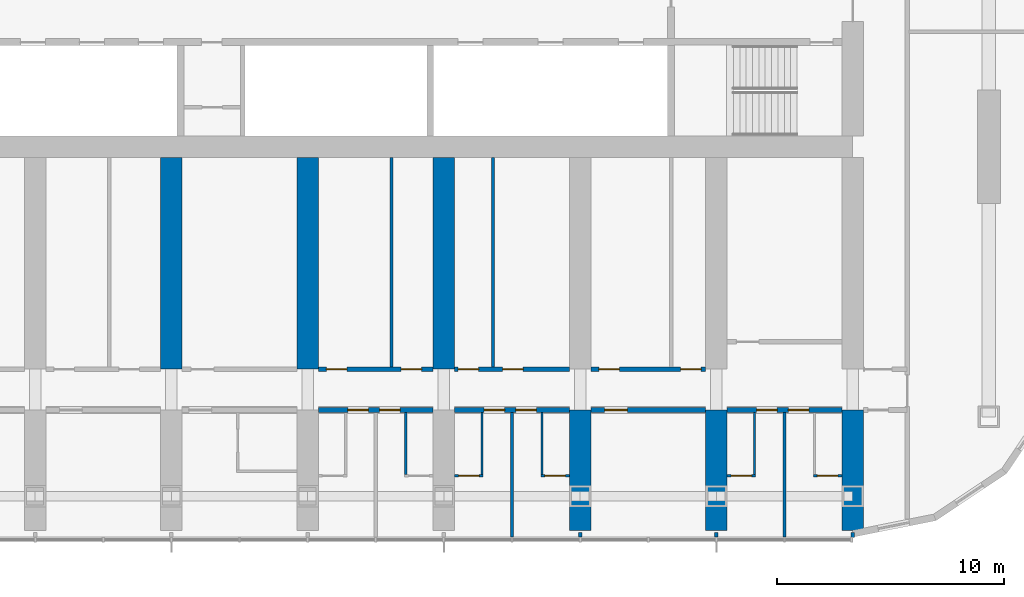
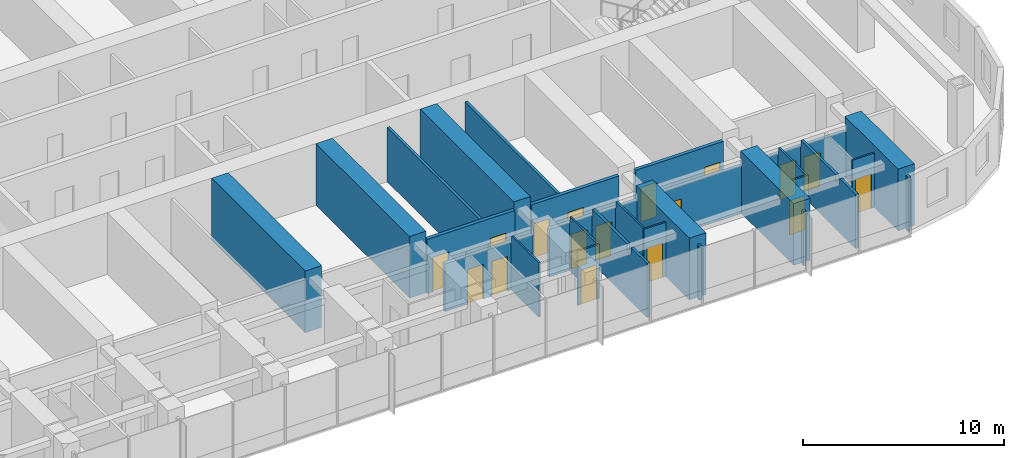
# One storey, part 10 of 21: 28 walls, 17 doors, 17 openings.
"""IFC4 building model written with IfcOpenShell, lengths in metres."""

from ifc_helpers import new_model, si_unit, direction, frame, frame_2d, origin, place, context, subcontext, project, spatial, polyline, rectangle, outline, extrude, material, layer, layer_set, type_object, element, fill, save


model = new_model("IFC4")

# Units and contexts
model_context = context("Model", 3, precision=1e-05, world=origin(), true_north=direction((0.0, 1.0)))
body_context = subcontext(model_context, "Body", "Model", "MODEL_VIEW")
ifc_project = project(units=[si_unit("LENGTHUNIT", "METRE"), si_unit("AREAUNIT", "SQUARE_METRE"), si_unit("VOLUMEUNIT", "CUBIC_METRE"), si_unit("PLANEANGLEUNIT", "RADIAN"), si_unit("MASSUNIT", "GRAM", prefix="KILO")], contexts=[model_context])

# Site, building, storey
site_placement = place(None, origin())
site = spatial("IfcSite", under=ifc_project, at=site_placement, CompositionType="ELEMENT")
building_placement = place(site_placement, origin())
building = spatial("IfcBuilding", under=site, at=building_placement, Name="Orbita Commons", CompositionType="ELEMENT")
storey_placement = place(building_placement, frame((0.0, 0.0, 110.64990234375)))
storey = spatial("IfcBuildingStorey", under=building, at=storey_placement, Name="L27", CompositionType="ELEMENT", Elevation=110.64990234375)

# Wall, openings, doors
ifc_material_1 = material(Name="Concrete blockwork", Category="masonry")
ifc_layer_1 = layer(ifc_material_1, 0.199951171875)
ifc_layer_set_1 = layer_set([ifc_layer_1], Name="Concrete blockwork")
wall_type_1 = type_object("IfcWallType", Name="Corridor wall 200 blockwork", PredefinedType="SOLIDWALL", material=ifc_layer_set_1)
wall_1_placement = place(storey_placement, frame((42.47509765625, 14.199951171875, 0.0), z_axis=(0.0, 0.0, 1.0), x_axis=(1.0, 0.0, 0.0)))
wall_1 = element("IfcWall", 1, at=wall_1_placement, inside=storey, type_object=wall_type_1, Name="Corridor wall 200 blockwork L27", PredefinedType="SOLIDWALL", context=body_context, shape_type="SweptSolid", body=[
    extrude(outline(polyline([(0.0, 0.0), (5.0498046875, 0.0), (5.050048828125, 2.900146484375), (0.0, 2.900146484375), (0.0, 0.0)])), frame((0.0, 0.10009765625, 0.0), z_axis=(0.0, -1.0, 0.0), x_axis=(1.0, 0.0, 0.0)), (0.0, 0.0, 1.0), 0.199951171875),
])
opening_1_placement = place(wall_1_placement, frame((1.300048828125, 0.0, 0.0)))
opening_1 = element("IfcOpeningElement", 2, at=opening_1_placement, cuts=wall_1, Name="Opening D11", PredefinedType="OPENING", context=body_context, shape_type="SweptSolid", body=[
    extrude(rectangle(XDim=0.89990234375, YDim=2.10009765625, at=frame_2d((0.449951171875, 1.050048828125))), frame((0.0, 0.10986328125, 0.0), z_axis=(0.0, -1.0, 0.0), x_axis=(1.0, 0.0, 0.0)), (0.0, 0.0, 1.0), 0.219970703125),
])
opening_2_placement = place(wall_1_placement, frame((2.699951171875, 0.0, 0.0)))
opening_2 = element("IfcOpeningElement", 3, at=opening_2_placement, cuts=wall_1, Name="Opening D11", PredefinedType="OPENING", context=body_context, shape_type="SweptSolid", body=[
    extrude(rectangle(XDim=0.89990234375, YDim=2.10009765625, at=frame_2d((0.449951171875, 1.050048828125))), frame((0.0, 0.10986328125, 0.0), z_axis=(0.0, -1.0, 0.0), x_axis=(1.0, 0.0, 0.0)), (0.0, 0.0, 1.0), 0.219970703125),
])
ifc_material_2 = material(Name="Steel-faced fire door leaf", Category="steel")
door_type_1 = type_object("IfcDoorType", Name="Corridor door 20 min 900x2100", OperationType="SINGLE_SWING_LEFT", PredefinedType="DOOR", material=ifc_material_2)
door_1_placement = place(opening_1_placement, origin())
door_1 = element("IfcDoor", 4, at=door_1_placement, inside=storey, type_object=door_type_1, Name="Cluster bedroom L27-S10 door", OperationType="SINGLE_SWING_LEFT", OverallHeight=2.10009765625, OverallWidth=0.89990234375, PredefinedType="DOOR", context=body_context, shape_type="SweptSolid", body=[
    extrude(rectangle(XDim=0.89990234375, YDim=2.10009765625, at=frame_2d((0.449951171875, 1.050048828125))), frame((0.0, 0.02490234375, 0.0), z_axis=(0.0, -1.0, 0.0), x_axis=(1.0, 0.0, 0.0)), (0.0, 0.0, 1.0), 0.050048828125),
])
fill(opening_1, door_1)
door_2_placement = place(opening_2_placement, origin())
door_2 = element("IfcDoor", 5, at=door_2_placement, inside=storey, type_object=door_type_1, Name="Cluster bedroom L27-S11 door", OperationType="SINGLE_SWING_LEFT", OverallHeight=2.10009765625, OverallWidth=0.89990234375, PredefinedType="DOOR", context=body_context, shape_type="SweptSolid", body=[
    extrude(rectangle(XDim=0.89990234375, YDim=2.10009765625, at=frame_2d((0.449951171875, 1.050048828125))), frame((0.0, 0.02490234375, 0.0), z_axis=(0.0, -1.0, 0.0), x_axis=(1.0, 0.0, 0.0)), (0.0, 0.0, 1.0), 0.050048828125),
])
fill(opening_2, door_2)

wall_2_placement = place(storey_placement, frame((48.47509765625, 14.199951171875, 0.0), z_axis=(0.0, 0.0, 1.0), x_axis=(1.0, 0.0, 0.0)))
wall_2 = element("IfcWall", 6, at=wall_2_placement, inside=storey, type_object=wall_type_1, Name="Corridor wall 200 blockwork L27", PredefinedType="SOLIDWALL", context=body_context, shape_type="SweptSolid", body=[
    extrude(outline(polyline([(0.0, 0.0), (5.0498046875, 0.0), (5.050048828125, 2.900146484375), (0.0, 2.900146484375), (0.0, 0.0)])), frame((0.0, 0.10009765625, 0.0), z_axis=(0.0, -1.0, 0.0), x_axis=(1.0, 0.0, 0.0)), (0.0, 0.0, 1.0), 0.199951171875),
])
opening_3_placement = place(wall_2_placement, frame((1.300048828125, 0.0, 0.0)))
opening_3 = element("IfcOpeningElement", 7, at=opening_3_placement, cuts=wall_2, Name="Opening D11", PredefinedType="OPENING", context=body_context, shape_type="SweptSolid", body=[
    extrude(rectangle(XDim=0.89990234375, YDim=2.10009765625, at=frame_2d((0.449951171875, 1.050048828125))), frame((0.0, 0.10986328125, 0.0), z_axis=(0.0, -1.0, 0.0), x_axis=(1.0, 0.0, 0.0)), (0.0, 0.0, 1.0), 0.219970703125),
])
opening_4_placement = place(wall_2_placement, frame((2.699951171875, 0.0, 0.0)))
opening_4 = element("IfcOpeningElement", 8, at=opening_4_placement, cuts=wall_2, Name="Opening D11", PredefinedType="OPENING", context=body_context, shape_type="SweptSolid", body=[
    extrude(rectangle(XDim=0.89990234375, YDim=2.10009765625, at=frame_2d((0.449951171875, 1.050048828125))), frame((0.0, 0.10986328125, 0.0), z_axis=(0.0, -1.0, 0.0), x_axis=(1.0, 0.0, 0.0)), (0.0, 0.0, 1.0), 0.219970703125),
])
door_3_placement = place(opening_3_placement, origin())
door_3 = element("IfcDoor", 9, at=door_3_placement, inside=storey, type_object=door_type_1, Name="Cluster bedroom L27-S12 door", OperationType="SINGLE_SWING_LEFT", OverallHeight=2.10009765625, OverallWidth=0.89990234375, PredefinedType="DOOR", context=body_context, shape_type="SweptSolid", body=[
    extrude(rectangle(XDim=0.89990234375, YDim=2.10009765625, at=frame_2d((0.449951171875, 1.050048828125))), frame((0.0, 0.02490234375, 0.0), z_axis=(0.0, -1.0, 0.0), x_axis=(1.0, 0.0, 0.0)), (0.0, 0.0, 1.0), 0.050048828125),
])
fill(opening_3, door_3)
door_4_placement = place(opening_4_placement, origin())
door_4 = element("IfcDoor", 10, at=door_4_placement, inside=storey, type_object=door_type_1, Name="Cluster bedroom L27-S13 door", OperationType="SINGLE_SWING_LEFT", OverallHeight=2.10009765625, OverallWidth=0.89990234375, PredefinedType="DOOR", context=body_context, shape_type="SweptSolid", body=[
    extrude(rectangle(XDim=0.89990234375, YDim=2.10009765625, at=frame_2d((0.449951171875, 1.050048828125))), frame((0.0, 0.02490234375, 0.0), z_axis=(0.0, -1.0, 0.0), x_axis=(1.0, 0.0, 0.0)), (0.0, 0.0, 1.0), 0.050048828125),
])
fill(opening_4, door_4)

# Wall, opening, door
wall_3_placement = place(storey_placement, frame((54.47509765625, 14.199951171875, 0.0), z_axis=(0.0, 0.0, 1.0), x_axis=(1.0, 0.0, 0.0)))
wall_3 = element("IfcWall", 11, at=wall_3_placement, inside=storey, type_object=wall_type_1, Name="Corridor wall 200 blockwork L27", PredefinedType="SOLIDWALL", context=body_context, shape_type="SweptSolid", body=[
    extrude(outline(polyline([(0.0, 0.0), (5.0498046875, 0.0), (5.050048828125, 2.900146484375), (0.0, 2.900146484375), (0.0, 0.0)])), frame((0.0, 0.10009765625, 0.0), z_axis=(0.0, -1.0, 0.0), x_axis=(1.0, 0.0, 0.0)), (0.0, 0.0, 1.0), 0.199951171875),
])
opening_5_placement = place(wall_3_placement, frame((0.60009765625, 0.0, 0.0)))
opening_5 = element("IfcOpeningElement", 12, at=opening_5_placement, cuts=wall_3, Name="Opening D06", PredefinedType="OPENING", context=body_context, shape_type="SweptSolid", body=[
    extrude(rectangle(XDim=1.0, YDim=2.10009765625, at=frame_2d((0.5, 1.050048828125))), frame((0.0, 0.10986328125, 0.0), z_axis=(0.0, -1.0, 0.0), x_axis=(1.0, 0.0, 0.0)), (0.0, 0.0, 1.0), 0.219970703125),
])
ifc_material_3 = material(Name="Steel-faced fire door leaf", Category="steel")
door_type_2 = type_object("IfcDoorType", Name="Corridor door 20 min 1000x2100", OperationType="SINGLE_SWING_LEFT", PredefinedType="DOOR", material=ifc_material_3)
door_5_placement = place(opening_5_placement, origin())
door_5 = element("IfcDoor", 13, at=door_5_placement, inside=storey, type_object=door_type_2, Name="Cluster kitchen-diner L27-S14 door", OperationType="SINGLE_SWING_LEFT", OverallHeight=2.10009765625, OverallWidth=1.0, PredefinedType="DOOR", context=body_context, shape_type="SweptSolid", body=[
    extrude(rectangle(XDim=1.0, YDim=2.10009765625, at=frame_2d((0.5, 1.050048828125))), frame((0.0, 0.02490234375, 0.0), z_axis=(0.0, -1.0, 0.0), x_axis=(1.0, 0.0, 0.0)), (0.0, 0.0, 1.0), 0.050048828125),
])
fill(opening_5, door_5)

# Wall, openings, doors
wall_4_placement = place(storey_placement, frame((60.47509765625, 14.199951171875, 0.0), z_axis=(0.0, 0.0, 1.0), x_axis=(1.0, 0.0, 0.0)))
wall_4 = element("IfcWall", 14, at=wall_4_placement, inside=storey, type_object=wall_type_1, Name="Corridor wall 200 blockwork L27", PredefinedType="SOLIDWALL", context=body_context, shape_type="SweptSolid", body=[
    extrude(outline(polyline([(0.0, 0.0), (5.0498046875, 0.0), (5.050048828125, 2.900146484375), (0.0, 2.900146484375), (0.0, 0.0)])), frame((0.0, 0.10009765625, 0.0), z_axis=(0.0, -1.0, 0.0), x_axis=(1.0, 0.0, 0.0)), (0.0, 0.0, 1.0), 0.199951171875),
])
opening_6_placement = place(wall_4_placement, frame((1.300048828125, 0.0, 0.0)))
opening_6 = element("IfcOpeningElement", 15, at=opening_6_placement, cuts=wall_4, Name="Opening D11", PredefinedType="OPENING", context=body_context, shape_type="SweptSolid", body=[
    extrude(rectangle(XDim=0.89990234375, YDim=2.10009765625, at=frame_2d((0.449951171875, 1.050048828125))), frame((0.0, 0.10986328125, 0.0), z_axis=(0.0, -1.0, 0.0), x_axis=(1.0, 0.0, 0.0)), (0.0, 0.0, 1.0), 0.219970703125),
])
opening_7_placement = place(wall_4_placement, frame((2.699951171875, 0.0, 0.0)))
opening_7 = element("IfcOpeningElement", 16, at=opening_7_placement, cuts=wall_4, Name="Opening D11", PredefinedType="OPENING", context=body_context, shape_type="SweptSolid", body=[
    extrude(rectangle(XDim=0.89990234375, YDim=2.10009765625, at=frame_2d((0.449951171875, 1.050048828125))), frame((0.0, 0.10986328125, 0.0), z_axis=(0.0, -1.0, 0.0), x_axis=(1.0, 0.0, 0.0)), (0.0, 0.0, 1.0), 0.219970703125),
])
door_6_placement = place(opening_6_placement, origin())
door_6 = element("IfcDoor", 17, at=door_6_placement, inside=storey, type_object=door_type_1, Name="Cluster bedroom L27-S16 door", OperationType="SINGLE_SWING_LEFT", OverallHeight=2.10009765625, OverallWidth=0.89990234375, PredefinedType="DOOR", context=body_context, shape_type="SweptSolid", body=[
    extrude(rectangle(XDim=0.89990234375, YDim=2.10009765625, at=frame_2d((0.449951171875, 1.050048828125))), frame((0.0, 0.02490234375, 0.0), z_axis=(0.0, -1.0, 0.0), x_axis=(1.0, 0.0, 0.0)), (0.0, 0.0, 1.0), 0.050048828125),
])
fill(opening_6, door_6)
door_7_placement = place(opening_7_placement, origin())
door_7 = element("IfcDoor", 18, at=door_7_placement, inside=storey, type_object=door_type_1, Name="Cluster bedroom L27-S17 door", OperationType="SINGLE_SWING_LEFT", OverallHeight=2.10009765625, OverallWidth=0.89990234375, PredefinedType="DOOR", context=body_context, shape_type="SweptSolid", body=[
    extrude(rectangle(XDim=0.89990234375, YDim=2.10009765625, at=frame_2d((0.449951171875, 1.050048828125))), frame((0.0, 0.02490234375, 0.0), z_axis=(0.0, -1.0, 0.0), x_axis=(1.0, 0.0, 0.0)), (0.0, 0.0, 1.0), 0.050048828125),
])
fill(opening_7, door_7)

ifc_material_4 = material(Name="Hollow concrete block 200", Category="concrete")
ifc_layer_2 = layer(ifc_material_4, 0.199951171875)
ifc_layer_set_2 = layer_set([ifc_layer_2], Name="Hollow concrete block 200")
wall_type_2 = type_object("IfcWallType", Name="Corridor wall 200 hollow concrete block", PredefinedType="SOLIDWALL", material=ifc_layer_set_2)
wall_5_placement = place(storey_placement, frame((42.47509765625, 16.0, 0.0), z_axis=(0.0, 0.0, 1.0), x_axis=(1.0, 0.0, 0.0)))
wall_5 = element("IfcWall", 19, at=wall_5_placement, inside=storey, type_object=wall_type_2, Name="Corridor wall 200 hollow concrete block L27", PredefinedType="SOLIDWALL", context=body_context, shape_type="SweptSolid", body=[
    extrude(rectangle(XDim=5.0498046875, YDim=0.199951171875, at=frame_2d((2.52490234375, 0.0))), origin(), (0.0, 0.0, 1.0), 3.300048828125),
])
opening_8_placement = place(wall_5_placement, frame((0.35009765625, 0.0, 0.0)))
opening_8 = element("IfcOpeningElement", 20, at=opening_8_placement, cuts=wall_5, Name="Opening D11", PredefinedType="OPENING", context=body_context, shape_type="SweptSolid", body=[
    extrude(rectangle(XDim=0.89990234375, YDim=2.10009765625, at=frame_2d((0.449951171875, 1.050048828125))), frame((0.0, 0.10986328125, 0.0), z_axis=(0.0, -1.0, 0.0), x_axis=(1.0, 0.0, 0.0)), (0.0, 0.0, 1.0), 0.219970703125),
])
opening_9_placement = place(wall_5_placement, frame((3.64501953125, 0.0, 0.0)))
opening_9 = element("IfcOpeningElement", 21, at=opening_9_placement, cuts=wall_5, Name="Opening D11", PredefinedType="OPENING", context=body_context, shape_type="SweptSolid", body=[
    extrude(rectangle(XDim=0.89990234375, YDim=2.10009765625, at=frame_2d((0.449951171875, 1.050048828125))), frame((0.0, 0.10986328125, 0.0), z_axis=(0.0, -1.0, 0.0), x_axis=(1.0, 0.0, 0.0)), (0.0, 0.0, 1.0), 0.219970703125),
])
door_8_placement = place(opening_8_placement, origin())
door_8 = element("IfcDoor", 22, at=door_8_placement, inside=storey, type_object=door_type_1, Name="Bicycle repair workshop L27-BDS42 door", OperationType="SINGLE_SWING_LEFT", OverallHeight=2.10009765625, OverallWidth=0.89990234375, PredefinedType="DOOR", context=body_context, shape_type="SweptSolid", body=[
    extrude(rectangle(XDim=0.89990234375, YDim=2.10009765625, at=frame_2d((0.449951171875, 1.050048828125))), frame((0.0, 0.02490234375, 0.0), z_axis=(0.0, -1.0, 0.0), x_axis=(1.0, 0.0, 0.0)), (0.0, 0.0, 1.0), 0.050048828125),
])
fill(opening_8, door_8)
door_9_placement = place(opening_9_placement, origin())
door_9 = element("IfcDoor", 23, at=door_9_placement, inside=storey, type_object=door_type_1, Name="Water heater cupboard L27-BDS42n door", OperationType="SINGLE_SWING_LEFT", OverallHeight=2.10009765625, OverallWidth=0.89990234375, PredefinedType="DOOR", context=body_context, shape_type="SweptSolid", body=[
    extrude(rectangle(XDim=0.89990234375, YDim=2.10009765625, at=frame_2d((0.449951171875, 1.050048828125))), frame((0.0, 0.02490234375, 0.0), z_axis=(0.0, -1.0, 0.0), x_axis=(1.0, 0.0, 0.0)), (0.0, 0.0, 1.0), 0.050048828125),
])
fill(opening_9, door_9)

wall_6_placement = place(storey_placement, frame((48.47509765625, 16.0, 0.0), z_axis=(0.0, 0.0, 1.0), x_axis=(1.0, 0.0, 0.0)))
wall_6 = element("IfcWall", 24, at=wall_6_placement, inside=storey, type_object=wall_type_2, Name="Corridor wall 200 hollow concrete block L27", PredefinedType="SOLIDWALL", context=body_context, shape_type="SweptSolid", body=[
    extrude(rectangle(XDim=5.0498046875, YDim=0.199951171875, at=frame_2d((2.52490234375, 0.0))), origin(), (0.0, 0.0, 1.0), 3.300048828125),
])
opening_10_placement = place(wall_6_placement, frame((0.14990234375, 0.0, 0.0)))
opening_10 = element("IfcOpeningElement", 25, at=opening_10_placement, cuts=wall_6, Name="Opening D11", PredefinedType="OPENING", context=body_context, shape_type="SweptSolid", body=[
    extrude(rectangle(XDim=0.89990234375, YDim=2.10009765625, at=frame_2d((0.449951171875, 1.050048828125))), frame((0.0, 0.10986328125, 0.0), z_axis=(0.0, -1.0, 0.0), x_axis=(1.0, 0.0, 0.0)), (0.0, 0.0, 1.0), 0.219970703125),
])
opening_11_placement = place(wall_6_placement, frame((2.114990234375, 0.0, 0.0)))
opening_11 = element("IfcOpeningElement", 26, at=opening_11_placement, cuts=wall_6, Name="Opening D11", PredefinedType="OPENING", context=body_context, shape_type="SweptSolid", body=[
    extrude(rectangle(XDim=0.89990234375, YDim=2.10009765625, at=frame_2d((0.449951171875, 1.050048828125))), frame((0.0, 0.10986328125, 0.0), z_axis=(0.0, -1.0, 0.0), x_axis=(1.0, 0.0, 0.0)), (0.0, 0.0, 1.0), 0.219970703125),
])
door_10_placement = place(opening_10_placement, origin())
door_10 = element("IfcDoor", 27, at=door_10_placement, inside=storey, type_object=door_type_1, Name="Equipment store L27-BDS48n door", OperationType="SINGLE_SWING_LEFT", OverallHeight=2.10009765625, OverallWidth=0.89990234375, PredefinedType="DOOR", context=body_context, shape_type="SweptSolid", body=[
    extrude(rectangle(XDim=0.89990234375, YDim=2.10009765625, at=frame_2d((0.449951171875, 1.050048828125))), frame((0.0, 0.02490234375, 0.0), z_axis=(0.0, -1.0, 0.0), x_axis=(1.0, 0.0, 0.0)), (0.0, 0.0, 1.0), 0.050048828125),
])
fill(opening_10, door_10)
door_11_placement = place(opening_11_placement, origin())
door_11 = element("IfcDoor", 28, at=door_11_placement, inside=storey, type_object=door_type_1, Name="Meeting room L27-BDS48 door", OperationType="SINGLE_SWING_LEFT", OverallHeight=2.10009765625, OverallWidth=0.89990234375, PredefinedType="DOOR", context=body_context, shape_type="SweptSolid", body=[
    extrude(rectangle(XDim=0.89990234375, YDim=2.10009765625, at=frame_2d((0.449951171875, 1.050048828125))), frame((0.0, 0.02490234375, 0.0), z_axis=(0.0, -1.0, 0.0), x_axis=(1.0, 0.0, 0.0)), (0.0, 0.0, 1.0), 0.050048828125),
])
fill(opening_11, door_11)

wall_7_placement = place(storey_placement, frame((54.47509765625, 16.0, 0.0), z_axis=(0.0, 0.0, 1.0), x_axis=(1.0, 0.0, 0.0)))
wall_7 = element("IfcWall", 29, at=wall_7_placement, inside=storey, type_object=wall_type_2, Name="Corridor wall 200 hollow concrete block L27", PredefinedType="SOLIDWALL", context=body_context, shape_type="SweptSolid", body=[
    extrude(rectangle(XDim=5.0498046875, YDim=0.199951171875, at=frame_2d((2.52490234375, 0.0))), origin(), (0.0, 0.0, 1.0), 3.300048828125),
])
opening_12_placement = place(wall_7_placement, frame((0.35009765625, 0.0, 0.0)))
opening_12 = element("IfcOpeningElement", 30, at=opening_12_placement, cuts=wall_7, Name="Opening D11", PredefinedType="OPENING", context=body_context, shape_type="SweptSolid", body=[
    extrude(rectangle(XDim=0.89990234375, YDim=2.10009765625, at=frame_2d((0.449951171875, 1.050048828125))), frame((0.0, 0.10986328125, 0.0), z_axis=(0.0, -1.0, 0.0), x_axis=(1.0, 0.0, 0.0)), (0.0, 0.0, 1.0), 0.219970703125),
])
opening_13_placement = place(wall_7_placement, frame((3.955078125, 0.0, 0.0)))
opening_13 = element("IfcOpeningElement", 31, at=opening_13_placement, cuts=wall_7, Name="Opening D11", PredefinedType="OPENING", context=body_context, shape_type="SweptSolid", body=[
    extrude(rectangle(XDim=0.89990234375, YDim=2.10009765625, at=frame_2d((0.449951171875, 1.050048828125))), frame((0.0, 0.10986328125, 0.0), z_axis=(0.0, -1.0, 0.0), x_axis=(1.0, 0.0, 0.0)), (0.0, 0.0, 1.0), 0.219970703125),
])
door_12_placement = place(opening_12_placement, origin())
door_12 = element("IfcDoor", 32, at=door_12_placement, inside=storey, type_object=door_type_1, Name="Bulk and luggage store L27-BDS54 door", OperationType="SINGLE_SWING_LEFT", OverallHeight=2.10009765625, OverallWidth=0.89990234375, PredefinedType="DOOR", context=body_context, shape_type="SweptSolid", body=[
    extrude(rectangle(XDim=0.89990234375, YDim=2.10009765625, at=frame_2d((0.449951171875, 1.050048828125))), frame((0.0, 0.02490234375, 0.0), z_axis=(0.0, -1.0, 0.0), x_axis=(1.0, 0.0, 0.0)), (0.0, 0.0, 1.0), 0.050048828125),
])
fill(opening_12, door_12)
door_13_placement = place(opening_13_placement, origin())
door_13 = element("IfcDoor", 33, at=door_13_placement, inside=storey, type_object=door_type_1, Name="Battery and UPS room L27-BDS54n door", OperationType="SINGLE_SWING_LEFT", OverallHeight=2.10009765625, OverallWidth=0.89990234375, PredefinedType="DOOR", context=body_context, shape_type="SweptSolid", body=[
    extrude(rectangle(XDim=0.89990234375, YDim=2.10009765625, at=frame_2d((0.449951171875, 1.050048828125))), frame((0.0, 0.02490234375, 0.0), z_axis=(0.0, -1.0, 0.0), x_axis=(1.0, 0.0, 0.0)), (0.0, 0.0, 1.0), 0.050048828125),
])
fill(opening_13, door_13)

# Walls
ifc_material_5 = material(Name="Concrete C50/60", Category="concrete")
ifc_layer_3 = layer(ifc_material_5, 0.949951171875)
ifc_layer_set_3 = layer_set([ifc_layer_3], Name="Concrete C50/60")
wall_type_3 = type_object("IfcWallType", Name="Cross wall 950 C50/60", PredefinedType="SHEAR", material=ifc_layer_set_3)
for number, where, z_axis, x_axis, name in (
    (34, (36.0, 16.0, 0.0), (0.0, 0.0, 1.0), (0.0, 1.0, 0.0), "Cross wall 7 south inner L27"),
    (35, (42.0, 16.0, 0.0), (0.0, 0.0, 1.0), (0.0, 1.0, 0.0), "Cross wall 8 south inner L27"),
    (36, (48.0, 16.0, 0.0), (0.0, 0.0, 1.0), (0.0, 1.0, 0.0), "Cross wall 9 south inner L27"),
):
    element("IfcWall", number, at=place(storey_placement, frame(where, z_axis=z_axis, x_axis=x_axis)), inside=storey, type_object=wall_type_3, Name=name, PredefinedType="SHEAR", context=body_context, shape_type="SweptSolid", body=[
        extrude(rectangle(XDim=9.324951171875, YDim=0.949951171875, at=frame_2d((4.66259765625, 0.0))), origin(), (0.0, 0.0, 1.0), 3.75),
    ])
for number, where, z_axis, x_axis, name in (
    (37, (54.0, 8.89990234375, 0.0), (0.0, 0.0, 1.0), (0.0, 1.0, 0.0), "Cross wall 10 south outer L27"),
    (38, (60.0, 8.89990234375, 0.0), (0.0, 0.0, 1.0), (0.0, 1.0, 0.0), "Cross wall 11 south outer L27"),
    (39, (66.0, 8.89990234375, 0.0), (0.0, 0.0, 1.0), (0.0, 1.0, 0.0), "Cross wall 12 south outer L27"),
):
    element("IfcWall", number, at=place(storey_placement, frame(where, z_axis=z_axis, x_axis=x_axis)), inside=storey, type_object=wall_type_3, Name=name, PredefinedType="SHEAR", context=body_context, shape_type="SweptSolid", body=[
        extrude(rectangle(XDim=5.300048828125, YDim=0.949951171875, at=frame_2d((2.64990234375, 0.0))), origin(), (0.0, 0.0, 1.0), 3.75),
    ])
ifc_material_6 = material(Name="Moisture-resistant plasterboard on steel studs", Category="steel")
ifc_layer_4 = layer(ifc_material_6, 0.10009765625)
ifc_layer_set_4 = layer_set([ifc_layer_4], Name="Moisture-resistant plasterboard on steel studs")
wall_type_4 = type_object("IfcWallType", Name="En-suite partition 100", PredefinedType="PARTITIONING", material=ifc_layer_set_4)
wall_8_placement = place(storey_placement, frame((46.324951171875, 11.35009765625, 0.0), z_axis=(0.0, 0.0, 1.0), x_axis=(0.0, 1.0, 0.0)))
element("IfcWall", 40, at=wall_8_placement, inside=storey, type_object=wall_type_4, Name="En-suite partition 100 L27", PredefinedType="PARTITIONING", context=body_context, shape_type="SweptSolid", body=[
    extrude(outline(polyline([(0.0, 0.0), (2.75, 0.0), (2.75, 2.900146484375), (2.701904296875, 2.900146484375), (2.699951171875, 3.300048828125), (0.0, 3.300048828125), (0.0, 0.0)])), frame((0.0, 0.050048828125, 0.0), z_axis=(0.0, -1.0, 0.0), x_axis=(1.0, 0.0, 0.0)), (0.0, 0.0, 1.0), 0.10009765625),
])

# Wall, opening, door
wall_9_placement = place(storey_placement, frame((49.72509765625, 11.300048828125, 0.0), z_axis=(0.0, 0.0, 1.0), x_axis=(-1.0, 0.0, 0.0)))
wall_9 = element("IfcWall", 41, at=wall_9_placement, inside=storey, type_object=wall_type_4, Name="En-suite partition 100 L27", PredefinedType="PARTITIONING", context=body_context, shape_type="SweptSolid", body=[
    extrude(rectangle(XDim=1.25, YDim=0.10009765625, at=frame_2d((0.625, 0.0))), origin(), (0.0, 0.0, 1.0), 3.300048828125),
])
opening_14_placement = place(wall_9_placement, frame((0.175048828125, 0.0, 0.0)))
opening_14 = element("IfcOpeningElement", 42, at=opening_14_placement, cuts=wall_9, Name="Opening D09", PredefinedType="OPENING", context=body_context, shape_type="SweptSolid", body=[
    extrude(rectangle(XDim=0.89990234375, YDim=2.10009765625, at=frame_2d((0.449951171875, 1.050048828125))), frame((0.0, 0.06005859375, 0.0), z_axis=(0.0, -1.0, 0.0), x_axis=(1.0, 0.0, 0.0)), (0.0, 0.0, 1.0), 0.1201171875),
])
ifc_material_7 = material(Name="Laminated timber door leaf", Category="wood")
door_type_3 = type_object("IfcDoorType", Name="En-suite door 900x2100", OperationType="SINGLE_SWING_RIGHT", PredefinedType="DOOR", material=ifc_material_7)
door_14_placement = place(opening_14_placement, origin())
door_14 = element("IfcDoor", 43, at=door_14_placement, inside=storey, type_object=door_type_3, Name="En-suite L27-S12 door", OperationType="SINGLE_SWING_RIGHT", OverallHeight=2.10009765625, OverallWidth=0.89990234375, PredefinedType="DOOR", context=body_context, shape_type="SweptSolid", body=[
    extrude(rectangle(XDim=0.89990234375, YDim=2.10009765625, at=frame_2d((0.449951171875, 1.050048828125))), frame((0.0, 0.02490234375, 0.0), z_axis=(0.0, -1.0, 0.0), x_axis=(1.0, 0.0, 0.0)), (0.0, 0.0, 1.0), 0.050048828125),
])
fill(opening_14, door_14)

# Wall
wall_10_placement = place(storey_placement, frame((49.675048828125, 11.35009765625, 0.0), z_axis=(0.0, 0.0, 1.0), x_axis=(0.0, 1.0, 0.0)))
element("IfcWall", 44, at=wall_10_placement, inside=storey, type_object=wall_type_4, Name="En-suite partition 100 L27", PredefinedType="PARTITIONING", context=body_context, shape_type="SweptSolid", body=[
    extrude(outline(polyline([(0.0, 0.0), (2.75, 0.0), (2.75, 2.900146484375), (2.701904296875, 2.900146484375), (2.699951171875, 3.300048828125), (0.0, 3.300048828125), (0.0, 0.0)])), frame((0.0, 0.050048828125, 0.0), z_axis=(0.0, -1.0, 0.0), x_axis=(1.0, 0.0, 0.0)), (0.0, 0.0, 1.0), 0.10009765625),
])

# Wall, opening, door
wall_11_placement = place(storey_placement, frame((53.52490234375, 11.300048828125, 0.0), z_axis=(0.0, 0.0, 1.0), x_axis=(-1.0, 0.0, 0.0)))
wall_11 = element("IfcWall", 45, at=wall_11_placement, inside=storey, type_object=wall_type_4, Name="En-suite partition 100 L27", PredefinedType="PARTITIONING", context=body_context, shape_type="SweptSolid", body=[
    extrude(rectangle(XDim=1.25, YDim=0.10009765625, at=frame_2d((0.625, 0.0))), origin(), (0.0, 0.0, 1.0), 3.300048828125),
])
opening_15_placement = place(wall_11_placement, frame((0.175048828125, 0.0, 0.0)))
opening_15 = element("IfcOpeningElement", 46, at=opening_15_placement, cuts=wall_11, Name="Opening D09", PredefinedType="OPENING", context=body_context, shape_type="SweptSolid", body=[
    extrude(rectangle(XDim=0.89990234375, YDim=2.10009765625, at=frame_2d((0.449951171875, 1.050048828125))), frame((0.0, 0.06005859375, 0.0), z_axis=(0.0, -1.0, 0.0), x_axis=(1.0, 0.0, 0.0)), (0.0, 0.0, 1.0), 0.1201171875),
])
door_15_placement = place(opening_15_placement, origin())
door_15 = element("IfcDoor", 47, at=door_15_placement, inside=storey, type_object=door_type_3, Name="En-suite L27-S13 door", OperationType="SINGLE_SWING_RIGHT", OverallHeight=2.10009765625, OverallWidth=0.89990234375, PredefinedType="DOOR", context=body_context, shape_type="SweptSolid", body=[
    extrude(rectangle(XDim=0.89990234375, YDim=2.10009765625, at=frame_2d((0.449951171875, 1.050048828125))), frame((0.0, 0.02490234375, 0.0), z_axis=(0.0, -1.0, 0.0), x_axis=(1.0, 0.0, 0.0)), (0.0, 0.0, 1.0), 0.050048828125),
])
fill(opening_15, door_15)

# Wall
wall_12_placement = place(storey_placement, frame((52.324951171875, 11.35009765625, 0.0), z_axis=(0.0, 0.0, 1.0), x_axis=(0.0, 1.0, 0.0)))
element("IfcWall", 48, at=wall_12_placement, inside=storey, type_object=wall_type_4, Name="En-suite partition 100 L27", PredefinedType="PARTITIONING", context=body_context, shape_type="SweptSolid", body=[
    extrude(outline(polyline([(0.0, 0.0), (2.75, 0.0), (2.75, 2.900146484375), (2.701904296875, 2.900146484375), (2.699951171875, 3.300048828125), (0.0, 3.300048828125), (0.0, 0.0)])), frame((0.0, 0.050048828125, 0.0), z_axis=(0.0, -1.0, 0.0), x_axis=(1.0, 0.0, 0.0)), (0.0, 0.0, 1.0), 0.10009765625),
])

# Wall, opening, door
wall_13_placement = place(storey_placement, frame((61.72509765625, 11.300048828125, 0.0), z_axis=(0.0, 0.0, 1.0), x_axis=(-1.0, 0.0, 0.0)))
wall_13 = element("IfcWall", 49, at=wall_13_placement, inside=storey, type_object=wall_type_4, Name="En-suite partition 100 L27", PredefinedType="PARTITIONING", context=body_context, shape_type="SweptSolid", body=[
    extrude(rectangle(XDim=1.25, YDim=0.10009765625, at=frame_2d((0.625, 0.0))), origin(), (0.0, 0.0, 1.0), 3.300048828125),
])
opening_16_placement = place(wall_13_placement, frame((0.175048828125, 0.0, 0.0)))
opening_16 = element("IfcOpeningElement", 50, at=opening_16_placement, cuts=wall_13, Name="Opening D09", PredefinedType="OPENING", context=body_context, shape_type="SweptSolid", body=[
    extrude(rectangle(XDim=0.89990234375, YDim=2.10009765625, at=frame_2d((0.449951171875, 1.050048828125))), frame((0.0, 0.06005859375, 0.0), z_axis=(0.0, -1.0, 0.0), x_axis=(1.0, 0.0, 0.0)), (0.0, 0.0, 1.0), 0.1201171875),
])
door_16_placement = place(opening_16_placement, origin())
door_16 = element("IfcDoor", 51, at=door_16_placement, inside=storey, type_object=door_type_3, Name="En-suite L27-S16 door", OperationType="SINGLE_SWING_RIGHT", OverallHeight=2.10009765625, OverallWidth=0.89990234375, PredefinedType="DOOR", context=body_context, shape_type="SweptSolid", body=[
    extrude(rectangle(XDim=0.89990234375, YDim=2.10009765625, at=frame_2d((0.449951171875, 1.050048828125))), frame((0.0, 0.02490234375, 0.0), z_axis=(0.0, -1.0, 0.0), x_axis=(1.0, 0.0, 0.0)), (0.0, 0.0, 1.0), 0.050048828125),
])
fill(opening_16, door_16)

# Wall
wall_14_placement = place(storey_placement, frame((61.675048828125, 11.35009765625, 0.0), z_axis=(0.0, 0.0, 1.0), x_axis=(0.0, 1.0, 0.0)))
element("IfcWall", 52, at=wall_14_placement, inside=storey, type_object=wall_type_4, Name="En-suite partition 100 L27", PredefinedType="PARTITIONING", context=body_context, shape_type="SweptSolid", body=[
    extrude(outline(polyline([(0.0, 0.0), (2.75, 0.0), (2.75, 2.900146484375), (2.701904296875, 2.900146484375), (2.699951171875, 3.300048828125), (0.0, 3.300048828125), (0.0, 0.0)])), frame((0.0, 0.050048828125, 0.0), z_axis=(0.0, -1.0, 0.0), x_axis=(1.0, 0.0, 0.0)), (0.0, 0.0, 1.0), 0.10009765625),
])

# Wall, opening, door
wall_15_placement = place(storey_placement, frame((65.52490234375, 11.300048828125, 0.0), z_axis=(0.0, 0.0, 1.0), x_axis=(-1.0, 0.0, 0.0)))
wall_15 = element("IfcWall", 53, at=wall_15_placement, inside=storey, type_object=wall_type_4, Name="En-suite partition 100 L27", PredefinedType="PARTITIONING", context=body_context, shape_type="SweptSolid", body=[
    extrude(rectangle(XDim=1.25, YDim=0.10009765625, at=frame_2d((0.625, 0.0))), origin(), (0.0, 0.0, 1.0), 3.300048828125),
])
opening_17_placement = place(wall_15_placement, frame((0.175048828125, 0.0, 0.0)))
opening_17 = element("IfcOpeningElement", 54, at=opening_17_placement, cuts=wall_15, Name="Opening D09", PredefinedType="OPENING", context=body_context, shape_type="SweptSolid", body=[
    extrude(rectangle(XDim=0.89990234375, YDim=2.10009765625, at=frame_2d((0.449951171875, 1.050048828125))), frame((0.0, 0.06005859375, 0.0), z_axis=(0.0, -1.0, 0.0), x_axis=(1.0, 0.0, 0.0)), (0.0, 0.0, 1.0), 0.1201171875),
])
door_17_placement = place(opening_17_placement, origin())
door_17 = element("IfcDoor", 55, at=door_17_placement, inside=storey, type_object=door_type_3, Name="En-suite L27-S17 door", OperationType="SINGLE_SWING_RIGHT", OverallHeight=2.10009765625, OverallWidth=0.89990234375, PredefinedType="DOOR", context=body_context, shape_type="SweptSolid", body=[
    extrude(rectangle(XDim=0.89990234375, YDim=2.10009765625, at=frame_2d((0.449951171875, 1.050048828125))), frame((0.0, 0.02490234375, 0.0), z_axis=(0.0, -1.0, 0.0), x_axis=(1.0, 0.0, 0.0)), (0.0, 0.0, 1.0), 0.050048828125),
])
fill(opening_17, door_17)

# Walls
ifc_material_8 = material(Name="Gypsum plasterboard on steel studs", Category="steel")
ifc_layer_5 = layer(ifc_material_8, 0.14990234375)
ifc_layer_set_5 = layer_set([ifc_layer_5], Name="Gypsum plasterboard on steel studs")
wall_type_5 = type_object("IfcWallType", Name="Partition 150 plasterboard", PredefinedType="PARTITIONING", material=ifc_layer_set_5)
for number, where, z_axis, x_axis, name in (
    (56, (45.695068359375, 16.10009765625, 0.0), (0.0, 0.0, 1.0), (0.0, 1.0, 0.0), "Partition 150 plasterboard L27"),
    (57, (50.1650390625, 16.10009765625, 0.0), (0.0, 0.0, 1.0), (0.0, 1.0, 0.0), "Partition 150 plasterboard L27"),
):
    element("IfcWall", number, at=place(storey_placement, frame(where, z_axis=z_axis, x_axis=x_axis)), inside=storey, type_object=wall_type_5, Name=name, PredefinedType="PARTITIONING", context=body_context, shape_type="SweptSolid", body=[
        extrude(rectangle(XDim=9.224853515625, YDim=0.14990234375, at=frame_2d((4.6123046875, 0.0))), origin(), (0.0, 0.0, 1.0), 3.300048828125),
    ])
for number, where, z_axis, x_axis, name in (
    (58, (54.0, 8.800048828125, 0.0), (0.0, 0.0, 1.0), (0.0, -1.0, 0.0), "Partition 150 plasterboard L27"),
    (59, (60.0, 8.800048828125, 0.0), (0.0, 0.0, 1.0), (0.0, -1.0, 0.0), "Partition 150 plasterboard L27"),
):
    element("IfcWall", number, at=place(storey_placement, frame(where, z_axis=z_axis, x_axis=x_axis)), inside=storey, type_object=wall_type_5, Name=name, PredefinedType="PARTITIONING", context=body_context, shape_type="SweptSolid", body=[
        extrude(rectangle(XDim=0.18994140625, YDim=0.14990234375, at=frame_2d((0.094970703125, 0.0))), origin(), (0.0, 0.0, 1.0), 3.300048828125),
    ])
wall_16_placement = place(storey_placement, frame((66.0, 8.800048828125, 0.0), z_axis=(0.0, 0.0, 1.0), x_axis=(0.0, -1.0, 0.0)))
element("IfcWall", 60, at=wall_16_placement, inside=storey, type_object=wall_type_5, Name="Partition 150 plasterboard L27", PredefinedType="PARTITIONING", context=body_context, shape_type="SweptSolid", body=[
    extrude(rectangle(XDim=0.219970703125, YDim=0.14990234375, at=frame_2d((0.10986328125, 0.0))), origin(), (0.0, 0.0, 1.0), 3.300048828125),
])
ifc_material_9 = material(Name="Gypsum plasterboard on steel studs", Category="steel")
ifc_layer_6 = layer(ifc_material_9, 0.14990234375)
ifc_layer_set_6 = layer_set([ifc_layer_6], Name="Gypsum plasterboard on steel studs")
wall_type_6 = type_object("IfcWallType", Name="Party wall 150 plasterboard", PredefinedType="PARTITIONING", material=ifc_layer_set_6)
for number, where, z_axis, x_axis, name in (
    (61, (51.0, 8.610107421875, 0.0), (0.0, 0.0, 1.0), (0.0, 1.0, 0.0), "Party wall 150 plasterboard L27"),
    (62, (63.0, 8.610107421875, 0.0), (0.0, 0.0, 1.0), (0.0, 1.0, 0.0), "Party wall 150 plasterboard L27"),
):
    element("IfcWall", number, at=place(storey_placement, frame(where, z_axis=z_axis, x_axis=x_axis)), inside=storey, type_object=wall_type_6, Name=name, PredefinedType="PARTITIONING", context=body_context, shape_type="SweptSolid", body=[
        extrude(outline(polyline([(0.0, 0.0), (5.489990234375, 0.0), (5.489990234375, 2.900146484375), (5.44189453125, 2.900146484375), (5.43994140625, 3.300048828125), (1.991943359375, 3.300048828125), (1.989990234375, 2.900146484375), (1.592041015625, 2.900146484375), (1.590087890625, 3.300048828125), (0.0, 3.300048828125), (0.0, 0.0)])), frame((0.0, 0.074951171875, 0.0), z_axis=(0.0, -1.0, 0.0), x_axis=(1.0, 0.0, 0.0)), (0.0, 0.0, 1.0), 0.14990234375),
    ])

save(model, "model.ifc")
